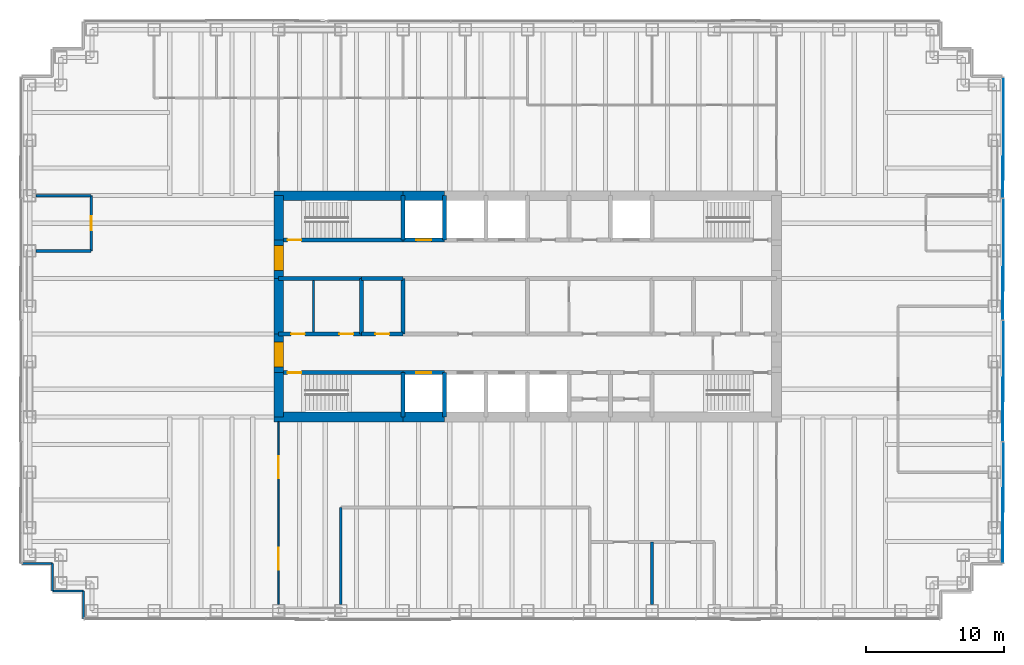
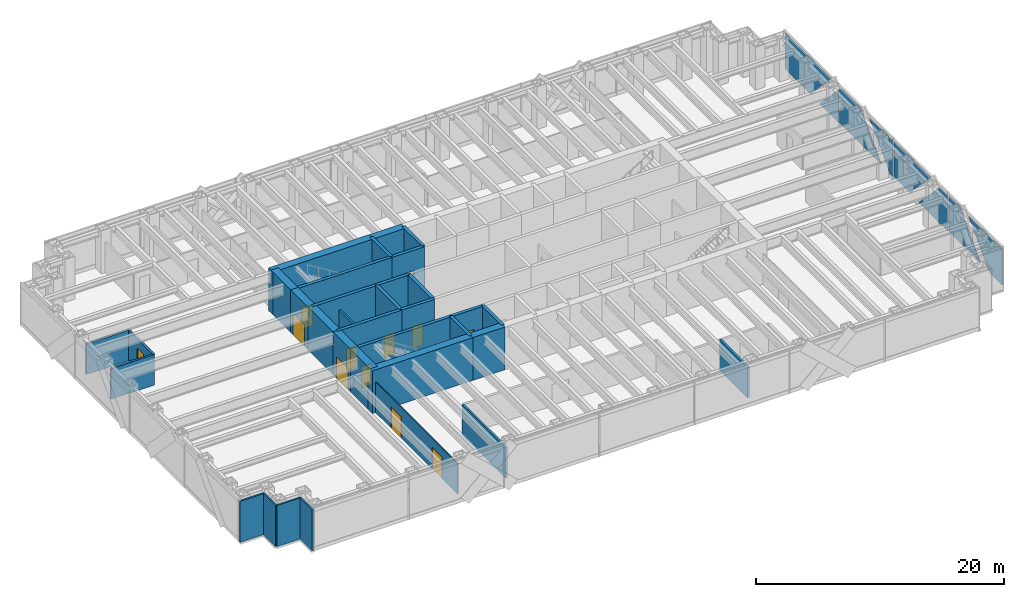
# One storey, part 13 of 17: 34 walls, 12 doors, 8 plates, 12 openings, 1 element without a shape of its own.
"""IFC4 building model written with IfcOpenShell, lengths in metres."""

from ifc_helpers import new_model, si_unit, direction, frame, frame_2d, origin, place, context, subcontext, project, spatial, polyline, rectangle, outline, extrude, material, layer, layer_set, type_object, element, fill, aggregate, save


model = new_model("IFC4")

# Units and contexts
model_context = context("Model", 3, precision=1e-05, world=origin(), true_north=direction((0.0, 1.0)))
body_context = subcontext(model_context, "Body", "Model", "MODEL_VIEW")
ifc_project = project(units=[si_unit("LENGTHUNIT", "METRE"), si_unit("AREAUNIT", "SQUARE_METRE"), si_unit("VOLUMEUNIT", "CUBIC_METRE"), si_unit("PLANEANGLEUNIT", "RADIAN"), si_unit("MASSUNIT", "GRAM", prefix="KILO")], contexts=[model_context])

# Site, building, storey
site_placement = place(None, origin())
site = spatial("IfcSite", under=ifc_project, at=site_placement, CompositionType="ELEMENT")
building_placement = place(site_placement, origin())
building = spatial("IfcBuilding", under=site, at=building_placement, Name="Rheinbord Bourse Tower", CompositionType="ELEMENT")
storey_placement = place(building_placement, frame((0.0, 0.0, 317.300048828125)))
storey = spatial("IfcBuildingStorey", under=building, at=storey_placement, Name="L72", CompositionType="ELEMENT", Elevation=317.300048828125)

# Curtain wall, plates
ifc_material_1 = material(Name="Dark glass and black aluminium", Category="aluminium")
curtain_wall_type = type_object("IfcCurtainWallType", Name="CW3 DARK GLASS CURTAIN WALL", PredefinedType="USERDEFINED", material=ifc_material_1)
curtain_wall_placement = place(storey_placement, origin())
curtain_wall = element("IfcCurtainWall", 1, at=curtain_wall_placement, inside=storey, type_object=curtain_wall_type, Name="Curtain wall CW3 E L72", ObjectType="UNITISED CURTAIN WALL", PredefinedType="USERDEFINED")
ifc_material_2 = material(Name="Dark tinted triple insulating glass", Category="glass")
ifc_layer_1 = layer(ifc_material_2, 0.055908203125)
ifc_layer_set_1 = layer_set([ifc_layer_1], Name="CW3 DARK GLASS PANEL")
plate_type = type_object("IfcPlateType", Name="CW3 DARK GLASS PANEL", PredefinedType="CURTAIN_PANEL", material=ifc_layer_set_1)
plate_1_placement = place(storey_placement, frame((70.3779296875, 5.465087890625, 0.349853515625), z_axis=(-1.0, 0.0, 0.0), x_axis=(0.0, 0.0, 1.0)))
plate_1 = element("IfcPlate", 2, at=plate_1_placement, type_object=plate_type, Name="CW3 glass facet 1", PredefinedType="CURTAIN_PANEL", context=body_context, shape_type="SweptSolid", body=[
    extrude(outline(polyline([(0.0, 0.0), (3.5, 0.0), (3.5, 5.43701171875), (0.0, 2.10302734375), (0.0, 0.0)])), origin(), (0.0, 0.0, 1.0), 0.055908203125),
])
plate_2_placement = place(storey_placement, frame((70.43896484375, 14.16796875, 3.849853515625), z_axis=(-1.0, 0.0, 0.0), x_axis=(0.0, 0.0, -1.0)))
plate_2 = element("IfcPlate", 3, at=plate_2_placement, type_object=plate_type, Name="CW3 glass facet 2", PredefinedType="CURTAIN_PANEL", context=body_context, shape_type="SweptSolid", body=[
    extrude(outline(polyline([(0.0, 0.0), (3.5, 0.0), (3.5, 5.070068359375), (0.0, 1.736083984375), (0.0, 0.0)])), origin(), (0.0, 0.0, 1.0), 0.055908203125),
])
plate_3_placement = place(storey_placement, frame((70.3779296875, 14.23193359375, 0.349853515625), z_axis=(-1.0, 0.0, 0.0), x_axis=(0.0, 0.0, 1.0)))
plate_3 = element("IfcPlate", 4, at=plate_3_placement, type_object=plate_type, Name="CW3 glass facet 1", PredefinedType="CURTAIN_PANEL", context=body_context, shape_type="SweptSolid", body=[
    extrude(outline(polyline([(0.0, 0.0), (3.5, 0.0), (3.5, 1.336181640625), (0.0, 4.670166015625), (0.0, 0.0)])), origin(), (0.0, 0.0, 1.0), 0.055908203125),
])
plate_4_placement = place(storey_placement, frame((70.43896484375, 22.968017578125, 3.849853515625), z_axis=(-1.0, 0.0, 0.0), x_axis=(0.0, 0.0, -1.0)))
plate_4 = element("IfcPlate", 5, at=plate_4_placement, type_object=plate_type, Name="CW3 glass facet 2", PredefinedType="CURTAIN_PANEL", context=body_context, shape_type="SweptSolid", body=[
    extrude(outline(polyline([(0.0, 0.0), (3.5, 0.0), (3.5, 2.5361328125), (0.0, 5.8701171875), (0.0, 0.0)])), origin(), (0.0, 0.0, 1.0), 0.055908203125),
])
plate_5_placement = place(storey_placement, frame((70.3779296875, 23.031982421875, 0.349853515625), z_axis=(-1.0, 0.0, 0.0), x_axis=(0.0, 0.0, 1.0)))
plate_5 = element("IfcPlate", 6, at=plate_5_placement, type_object=plate_type, Name="CW3 glass facet 1", PredefinedType="CURTAIN_PANEL", context=body_context, shape_type="SweptSolid", body=[
    extrude(outline(polyline([(0.0, 0.0), (3.5, 0.0), (3.5, 3.8701171875), (0.0, 0.5361328125), (0.0, 0.0)])), origin(), (0.0, 0.0, 1.0), 0.055908203125),
])
plate_6_placement = place(storey_placement, frame((70.43896484375, 31.76708984375, 0.349853515625), z_axis=(-1.0, 0.0, 0.0), x_axis=(0.0, -1.0, 0.0)))
plate_6 = element("IfcPlate", 7, at=plate_6_placement, type_object=plate_type, Name="CW3 glass facet 2", PredefinedType="CURTAIN_PANEL", context=body_context, shape_type="SweptSolid", body=[
    extrude(outline(polyline([(0.0, 0.0), (6.669189453125, 0.0), (3.335205078125, 3.5), (0.198974609375, 3.5), (0.0, 3.291015625), (0.0, 0.0)])), origin(), (0.0, 0.0, 1.0), 0.055908203125),
])
plate_7_placement = place(storey_placement, frame((70.3779296875, 31.8330078125, 0.349853515625), z_axis=(-1.0, 0.0, 0.0), x_axis=(0.0, 0.0, 1.0)))
plate_7 = element("IfcPlate", 8, at=plate_7_placement, type_object=plate_type, Name="CW3 glass facet 1", PredefinedType="CURTAIN_PANEL", context=body_context, shape_type="SweptSolid", body=[
    extrude(outline(polyline([(0.0, 0.0), (3.22314453125, 0.0), (0.0, 3.069091796875), (0.0, 0.0)])), origin(), (0.0, 0.0, 1.0), 0.055908203125),
])
plate_8_placement = place(storey_placement, frame((70.43896484375, 40.534912109375, 3.849853515625), z_axis=(-1.0, 0.0, 0.0), x_axis=(0.0, 0.0, -1.0)))
plate_8 = element("IfcPlate", 9, at=plate_8_placement, type_object=plate_type, Name="CW3 glass facet 2", PredefinedType="CURTAIN_PANEL", context=body_context, shape_type="SweptSolid", body=[
    extrude(outline(polyline([(0.0, 0.0), (3.5, 0.0), (3.5, 4.10302734375), (0.0, 7.43701171875), (0.0, 0.0)])), origin(), (0.0, 0.0, 1.0), 0.055908203125),
])
aggregate(curtain_wall, [plate_1, plate_2, plate_3, plate_4, plate_5, plate_6, plate_7, plate_8])

# Walls
ifc_material_3 = material(Name="Acoustic gypsum board partition", Category="gypsum board")
ifc_layer_2 = layer(ifc_material_3, 0.199951171875)
ifc_layer_set_2 = layer_set([ifc_layer_2], Name="ACOUSTIC PARTITION 200")
wall_type_1 = type_object("IfcWallType", Name="ACOUSTIC PARTITION 200", PredefinedType="PARTITIONING", material=ifc_layer_set_2)
for number, where, z_axis, x_axis, name in (
    (10, (0.449951171875, 28.0, 0.0), (0.0, 0.0, 1.0), (1.0, 0.0, 0.0), "Partition L72-05"),
    (11, (0.449951171875, 32.0, 0.0), (0.0, 0.0, 1.0), (1.0, 0.0, 0.0), "Partition L72-07"),
):
    element("IfcWall", number, at=place(storey_placement, frame(where, z_axis=z_axis, x_axis=x_axis)), inside=storey, type_object=wall_type_1, Name=name, PredefinedType="PARTITIONING", context=body_context, shape_type="SweptSolid", body=[
        extrude(rectangle(XDim=4.0, YDim=0.199951171875, at=frame_2d((2.0, 0.0))), origin(), (0.0, 0.0, 1.0), 3.0),
    ])

# Wall, opening, door
wall_1_placement = place(storey_placement, frame((4.449951171875, 28.0, 0.0), z_axis=(0.0, 0.0, 1.0), x_axis=(0.0, 1.0, 0.0)))
wall_1 = element("IfcWall", 12, at=wall_1_placement, inside=storey, type_object=wall_type_1, Name="Partition L72-11", PredefinedType="PARTITIONING", context=body_context, shape_type="SweptSolid", body=[
    extrude(rectangle(XDim=4.0, YDim=0.199951171875, at=frame_2d((2.0, 0.0))), origin(), (0.0, 0.0, 1.0), 3.0),
])
opening_1_placement = place(wall_1_placement, frame((1.5, 0.0, 0.0)))
opening_1 = element("IfcOpeningElement", 13, at=opening_1_placement, cuts=wall_1, Name="Opening 72D05", PredefinedType="OPENING", context=body_context, shape_type="SweptSolid", body=[
    extrude(rectangle(XDim=1.0, YDim=2.10009765625, at=frame_2d((0.5, 1.050048828125))), frame((0.0, 0.10986328125, 0.0), z_axis=(0.0, -1.0, 0.0), x_axis=(1.0, 0.0, 0.0)), (0.0, 0.0, 1.0), 0.219970703125),
])
ifc_material_4 = material(Name="Timber door", Category="wood")
door_type_1 = type_object("IfcDoorType", Name="ROOM DOOR 1000", OperationType="SINGLE_SWING_LEFT", PredefinedType="DOOR", material=ifc_material_4)
door_1_placement = place(opening_1_placement, origin())
door_1 = element("IfcDoor", 14, at=door_1_placement, inside=storey, type_object=door_type_1, Name="Edit suite door L72", OperationType="SINGLE_SWING_LEFT", OverallHeight=2.10009765625, OverallWidth=1.0, PredefinedType="DOOR", context=body_context, shape_type="SweptSolid", body=[
    extrude(rectangle(XDim=1.0, YDim=2.10009765625, at=frame_2d((0.5, 1.050048828125))), frame((0.0, 0.02490234375, 0.0), z_axis=(0.0, -1.0, 0.0), x_axis=(1.0, 0.0, 0.0)), (0.0, 0.0, 1.0), 0.050048828125),
])
fill(opening_1, door_1)

# Walls
wall_2_placement = place(storey_placement, frame((22.5, 2.449951171875, 0.0), z_axis=(0.0, 0.0, 1.0), x_axis=(0.0, 1.0, 0.0)))
element("IfcWall", 15, at=wall_2_placement, inside=storey, type_object=wall_type_1, Name="Partition L72-17", PredefinedType="PARTITIONING", context=body_context, shape_type="SweptSolid", body=[
    extrude(rectangle(XDim=7.0, YDim=0.199951171875, at=frame_2d((3.5, 0.0))), origin(), (0.0, 0.0, 1.0), 3.0),
])
wall_3_placement = place(storey_placement, frame((45.0, 2.449951171875, 0.0), z_axis=(0.0, 0.0, 1.0), x_axis=(0.0, 1.0, 0.0)))
element("IfcWall", 16, at=wall_3_placement, inside=storey, type_object=wall_type_1, Name="Partition L72-24", PredefinedType="PARTITIONING", context=body_context, shape_type="SweptSolid", body=[
    extrude(rectangle(XDim=4.5, YDim=0.199951171875, at=frame_2d((2.25, 0.0))), origin(), (0.0, 0.0, 1.0), 3.0),
])

# Wall, opening, door
ifc_material_5 = material(Name="Concrete C50/60", Category="concrete")
ifc_layer_3 = layer(ifc_material_5, 0.300048828125)
ifc_layer_set_3 = layer_set([ifc_layer_3], Name="CORE INNER WALL 300")
wall_type_2 = type_object("IfcWallType", Name="CORE INNER WALL 300", PredefinedType="SOLIDWALL", material=ifc_layer_set_3)
wall_4_placement = place(storey_placement, frame((18.0, 19.199951171875, 0.0), z_axis=(0.0, 0.0, 1.0), x_axis=(1.0, 0.0, 0.0)))
wall_4 = element("IfcWall", 17, at=wall_4_placement, inside=storey, type_object=wall_type_2, Name="Core wall A1 L72", PredefinedType="SOLIDWALL", context=body_context, shape_type="SweptSolid", body=[
    extrude(rectangle(XDim=9.0, YDim=0.300048828125, at=frame_2d((4.5, 0.0))), origin(), (0.0, 0.0, 1.0), 4.199951171875),
])
opening_2_placement = place(wall_4_placement, frame((0.64990234375, 0.0, 0.0)))
opening_2 = element("IfcOpeningElement", 18, at=opening_2_placement, cuts=wall_4, Name="Opening 7210", PredefinedType="OPENING", context=body_context, shape_type="SweptSolid", body=[
    extrude(rectangle(XDim=1.0, YDim=2.10009765625, at=frame_2d((0.5, 1.050048828125))), frame((0.0, 0.159912109375, 0.0), z_axis=(0.0, -1.0, 0.0), x_axis=(1.0, 0.0, 0.0)), (0.0, 0.0, 1.0), 0.320068359375),
])
ifc_material_6 = material(Name="Steel door", Category="steel")
door_type_2 = type_object("IfcDoorType", Name="DOOR 1000 EI30", OperationType="SINGLE_SWING_LEFT", PredefinedType="DOOR", material=ifc_material_6)
door_2_placement = place(opening_2_placement, origin())
door_2 = element("IfcDoor", 19, at=door_2_placement, inside=storey, type_object=door_type_2, Name="Stair door ST1 L72", OperationType="SINGLE_SWING_LEFT", OverallHeight=2.10009765625, OverallWidth=1.0, PredefinedType="DOOR", context=body_context, shape_type="SweptSolid", body=[
    extrude(rectangle(XDim=1.0, YDim=2.10009765625, at=frame_2d((0.5, 1.050048828125))), frame((0.0, 0.02490234375, 0.0), z_axis=(0.0, -1.0, 0.0), x_axis=(1.0, 0.0, 0.0)), (0.0, 0.0, 1.0), 0.050048828125),
])
fill(opening_2, door_2)

wall_5_placement = place(storey_placement, frame((27.0, 19.199951171875, 0.0), z_axis=(0.0, 0.0, 1.0), x_axis=(1.0, 0.0, 0.0)))
wall_5 = element("IfcWall", 20, at=wall_5_placement, inside=storey, type_object=wall_type_2, Name="Core wall A2 L72", PredefinedType="SOLIDWALL", context=body_context, shape_type="SweptSolid", body=[
    extrude(rectangle(XDim=3.0, YDim=0.300048828125, at=frame_2d((1.5, 0.0))), origin(), (0.0, 0.0, 1.0), 4.199951171875),
])
opening_3_placement = place(wall_5_placement, frame((0.949951171875, 0.0, 0.0)))
opening_3 = element("IfcOpeningElement", 21, at=opening_3_placement, cuts=wall_5, Name="Opening FL1", PredefinedType="OPENING", context=body_context, shape_type="SweptSolid", body=[
    extrude(rectangle(XDim=1.10009765625, YDim=2.199951171875, at=frame_2d((0.550048828125, 1.10009765625))), frame((0.0, 0.159912109375, 0.0), z_axis=(0.0, -1.0, 0.0), x_axis=(1.0, 0.0, 0.0)), (0.0, 0.0, 1.0), 0.320068359375),
])
ifc_material_7 = material(Name="Steel landing door", Category="steel")
door_type_3 = type_object("IfcDoorType", Name="LIFT LANDING DOOR 1100", OperationType="DOUBLE_DOOR_SLIDING", PredefinedType="USERDEFINED", material=ifc_material_7)
door_3_placement = place(opening_3_placement, origin())
door_3 = element("IfcDoor", 22, at=door_3_placement, inside=storey, type_object=door_type_3, Name="Lift landing door FL1 L72", ObjectType="LIFT LANDING DOOR", OperationType="DOUBLE_DOOR_SLIDING", OverallHeight=2.199951171875, OverallWidth=1.10009765625, PredefinedType="USERDEFINED", context=body_context, shape_type="SweptSolid", body=[
    extrude(rectangle(XDim=1.10009765625, YDim=2.199951171875, at=frame_2d((0.550048828125, 1.10009765625))), frame((0.0, 0.02490234375, 0.0), z_axis=(0.0, -1.0, 0.0), x_axis=(1.0, 0.0, 0.0)), (0.0, 0.0, 1.0), 0.050048828125),
])
fill(opening_3, door_3)

wall_6_placement = place(storey_placement, frame((18.0, 28.800048828125, 0.0), z_axis=(0.0, 0.0, 1.0), x_axis=(1.0, 0.0, 0.0)))
wall_6 = element("IfcWall", 23, at=wall_6_placement, inside=storey, type_object=wall_type_2, Name="Core wall B1 L72", PredefinedType="SOLIDWALL", context=body_context, shape_type="SweptSolid", body=[
    extrude(rectangle(XDim=9.0, YDim=0.300048828125, at=frame_2d((4.5, 0.0))), origin(), (0.0, 0.0, 1.0), 4.199951171875),
])
opening_4_placement = place(wall_6_placement, frame((0.64990234375, 0.0, 0.0)))
opening_4 = element("IfcOpeningElement", 24, at=opening_4_placement, cuts=wall_6, Name="Opening 7220", PredefinedType="OPENING", context=body_context, shape_type="SweptSolid", body=[
    extrude(rectangle(XDim=1.0, YDim=2.10009765625, at=frame_2d((0.5, 1.050048828125))), frame((0.0, 0.159912109375, 0.0), z_axis=(0.0, -1.0, 0.0), x_axis=(1.0, 0.0, 0.0)), (0.0, 0.0, 1.0), 0.320068359375),
])
door_4_placement = place(opening_4_placement, origin())
door_4 = element("IfcDoor", 25, at=door_4_placement, inside=storey, type_object=door_type_2, Name="Stair door ST2 L72", OperationType="SINGLE_SWING_LEFT", OverallHeight=2.10009765625, OverallWidth=1.0, PredefinedType="DOOR", context=body_context, shape_type="SweptSolid", body=[
    extrude(rectangle(XDim=1.0, YDim=2.10009765625, at=frame_2d((0.5, 1.050048828125))), frame((0.0, 0.02490234375, 0.0), z_axis=(0.0, -1.0, 0.0), x_axis=(1.0, 0.0, 0.0)), (0.0, 0.0, 1.0), 0.050048828125),
])
fill(opening_4, door_4)

wall_7_placement = place(storey_placement, frame((27.0, 28.800048828125, 0.0), z_axis=(0.0, 0.0, 1.0), x_axis=(1.0, 0.0, 0.0)))
wall_7 = element("IfcWall", 26, at=wall_7_placement, inside=storey, type_object=wall_type_2, Name="Core wall B2 L72", PredefinedType="SOLIDWALL", context=body_context, shape_type="SweptSolid", body=[
    extrude(rectangle(XDim=3.0, YDim=0.300048828125, at=frame_2d((1.5, 0.0))), origin(), (0.0, 0.0, 1.0), 4.199951171875),
])
opening_5_placement = place(wall_7_placement, frame((0.949951171875, 0.0, 0.0)))
opening_5 = element("IfcOpeningElement", 27, at=opening_5_placement, cuts=wall_7, Name="Opening GL1", PredefinedType="OPENING", context=body_context, shape_type="SweptSolid", body=[
    extrude(rectangle(XDim=1.10009765625, YDim=2.199951171875, at=frame_2d((0.550048828125, 1.10009765625))), frame((0.0, 0.159912109375, 0.0), z_axis=(0.0, -1.0, 0.0), x_axis=(1.0, 0.0, 0.0)), (0.0, 0.0, 1.0), 0.320068359375),
])
door_5_placement = place(opening_5_placement, origin())
door_5 = element("IfcDoor", 28, at=door_5_placement, inside=storey, type_object=door_type_3, Name="Lift landing door GL1 L72", ObjectType="LIFT LANDING DOOR", OperationType="DOUBLE_DOOR_SLIDING", OverallHeight=2.199951171875, OverallWidth=1.10009765625, PredefinedType="USERDEFINED", context=body_context, shape_type="SweptSolid", body=[
    extrude(rectangle(XDim=1.10009765625, YDim=2.199951171875, at=frame_2d((0.550048828125, 1.10009765625))), frame((0.0, 0.02490234375, 0.0), z_axis=(0.0, -1.0, 0.0), x_axis=(1.0, 0.0, 0.0)), (0.0, 0.0, 1.0), 0.050048828125),
])
fill(opening_5, door_5)

# Wall, openings, doors
wall_8_placement = place(storey_placement, frame((18.0, 22.0, 0.0), z_axis=(0.0, 0.0, 1.0), x_axis=(1.0, 0.0, 0.0)))
wall_8 = element("IfcWall", 29, at=wall_8_placement, inside=storey, type_object=wall_type_2, Name="Core wall C1 L72", PredefinedType="SOLIDWALL", context=body_context, shape_type="SweptSolid", body=[
    extrude(rectangle(XDim=6.0, YDim=0.300048828125, at=frame_2d((3.0, 0.0))), origin(), (0.0, 0.0, 1.0), 4.199951171875),
])
opening_6_placement = place(wall_8_placement, frame((4.39990234375, 0.0, 0.0)))
opening_6 = element("IfcOpeningElement", 30, at=opening_6_placement, cuts=wall_8, Name="Opening 72R1", PredefinedType="OPENING", context=body_context, shape_type="SweptSolid", body=[
    extrude(rectangle(XDim=1.0, YDim=2.10009765625, at=frame_2d((0.5, 1.050048828125))), frame((0.0, 0.159912109375, 0.0), z_axis=(0.0, -1.0, 0.0), x_axis=(1.0, 0.0, 0.0)), (0.0, 0.0, 1.0), 0.320068359375),
])
opening_7_placement = place(wall_8_placement, frame((0.89990234375, 0.0, 0.0)))
opening_7 = element("IfcOpeningElement", 31, at=opening_7_placement, cuts=wall_8, Name="Opening 72R9", PredefinedType="OPENING", context=body_context, shape_type="SweptSolid", body=[
    extrude(rectangle(XDim=1.0, YDim=2.10009765625, at=frame_2d((0.5, 1.050048828125))), frame((0.0, 0.159912109375, 0.0), z_axis=(0.0, -1.0, 0.0), x_axis=(1.0, 0.0, 0.0)), (0.0, 0.0, 1.0), 0.320068359375),
])
door_6_placement = place(opening_7_placement, origin())
door_6 = element("IfcDoor", 32, at=door_6_placement, inside=storey, type_object=door_type_2, Name="Baby change door L72", OperationType="SINGLE_SWING_LEFT", OverallHeight=2.10009765625, OverallWidth=1.0, PredefinedType="DOOR", context=body_context, shape_type="SweptSolid", body=[
    extrude(rectangle(XDim=1.0, YDim=2.10009765625, at=frame_2d((0.5, 1.050048828125))), frame((0.0, 0.02490234375, 0.0), z_axis=(0.0, -1.0, 0.0), x_axis=(1.0, 0.0, 0.0)), (0.0, 0.0, 1.0), 0.050048828125),
])
fill(opening_7, door_6)
ifc_material_8 = material(Name="Timber door", Category="wood")
door_type_4 = type_object("IfcDoorType", Name="DOOR 1000 WC", OperationType="SINGLE_SWING_LEFT", PredefinedType="DOOR", material=ifc_material_8)
door_7_placement = place(opening_6_placement, origin())
door_7 = element("IfcDoor", 33, at=door_7_placement, inside=storey, type_object=door_type_4, Name="WC men door L72", OperationType="SINGLE_SWING_RIGHT", OverallHeight=2.10009765625, OverallWidth=1.0, PredefinedType="DOOR", context=body_context, shape_type="SweptSolid", body=[
    extrude(rectangle(XDim=1.0, YDim=2.10009765625, at=frame_2d((0.5, 1.050048828125))), frame((0.0, 0.02490234375, 0.0), z_axis=(0.0, -1.0, 0.0), x_axis=(1.0, 0.0, 0.0)), (0.0, 0.0, 1.0), 0.050048828125),
])
fill(opening_6, door_7)

# Wall, opening, door
wall_9_placement = place(storey_placement, frame((24.0, 22.0, 0.0), z_axis=(0.0, 0.0, 1.0), x_axis=(1.0, 0.0, 0.0)))
wall_9 = element("IfcWall", 34, at=wall_9_placement, inside=storey, type_object=wall_type_2, Name="Core wall C2 L72", PredefinedType="SOLIDWALL", context=body_context, shape_type="SweptSolid", body=[
    extrude(rectangle(XDim=3.0, YDim=0.300048828125, at=frame_2d((1.5, 0.0))), origin(), (0.0, 0.0, 1.0), 4.199951171875),
])
opening_8_placement = place(wall_9_placement, frame((1.0, 0.0, 0.0)))
opening_8 = element("IfcOpeningElement", 35, at=opening_8_placement, cuts=wall_9, Name="Opening 72R2", PredefinedType="OPENING", context=body_context, shape_type="SweptSolid", body=[
    extrude(rectangle(XDim=1.0, YDim=2.10009765625, at=frame_2d((0.5, 1.050048828125))), frame((0.0, 0.159912109375, 0.0), z_axis=(0.0, -1.0, 0.0), x_axis=(1.0, 0.0, 0.0)), (0.0, 0.0, 1.0), 0.320068359375),
])
door_8_placement = place(opening_8_placement, origin())
door_8 = element("IfcDoor", 36, at=door_8_placement, inside=storey, type_object=door_type_4, Name="Accessible WC door L72", OperationType="SINGLE_SWING_LEFT", OverallHeight=2.10009765625, OverallWidth=1.0, PredefinedType="DOOR", context=body_context, shape_type="SweptSolid", body=[
    extrude(rectangle(XDim=1.0, YDim=2.10009765625, at=frame_2d((0.5, 1.050048828125))), frame((0.0, 0.02490234375, 0.0), z_axis=(0.0, -1.0, 0.0), x_axis=(1.0, 0.0, 0.0)), (0.0, 0.0, 1.0), 0.050048828125),
])
fill(opening_8, door_8)

# Walls
wall_10_placement = place(storey_placement, frame((18.0, 26.0, 0.0), z_axis=(0.0, 0.0, 1.0), x_axis=(1.0, 0.0, 0.0)))
element("IfcWall", 37, at=wall_10_placement, inside=storey, type_object=wall_type_2, Name="Core wall D1 L72", PredefinedType="SOLIDWALL", context=body_context, shape_type="SweptSolid", body=[
    extrude(rectangle(XDim=6.0, YDim=0.300048828125, at=frame_2d((3.0, 0.0))), origin(), (0.0, 0.0, 1.0), 4.199951171875),
])
wall_11_placement = place(storey_placement, frame((24.0, 26.0, 0.0), z_axis=(0.0, 0.0, 1.0), x_axis=(1.0, 0.0, 0.0)))
element("IfcWall", 38, at=wall_11_placement, inside=storey, type_object=wall_type_2, Name="Core wall D2 L72", PredefinedType="SOLIDWALL", context=body_context, shape_type="SweptSolid", body=[
    extrude(rectangle(XDim=3.0, YDim=0.300048828125, at=frame_2d((1.5, 0.0))), origin(), (0.0, 0.0, 1.0), 4.199951171875),
])
for number, where, z_axis, x_axis, name in (
    (39, (27.0, 16.0, 0.0), (0.0, 0.0, 1.0), (0.0, 1.0, 0.0), "Core wall SX27 L72"),
    (40, (27.0, 28.800048828125, 0.0), (0.0, 0.0, 1.0), (0.0, 1.0, 0.0), "Core wall NX27 L72"),
    (41, (30.0, 16.0, 0.0), (0.0, 0.0, 1.0), (0.0, 1.0, 0.0), "Core wall SX30 L72"),
    (42, (30.0, 28.800048828125, 0.0), (0.0, 0.0, 1.0), (0.0, 1.0, 0.0), "Core wall NX30 L72"),
):
    element("IfcWall", number, at=place(storey_placement, frame(where, z_axis=z_axis, x_axis=x_axis)), inside=storey, type_object=wall_type_2, Name=name, PredefinedType="SOLIDWALL", context=body_context, shape_type="SweptSolid", body=[
        extrude(rectangle(XDim=3.199951171875, YDim=0.300048828125, at=frame_2d((1.60009765625, 0.0))), origin(), (0.0, 0.0, 1.0), 4.199951171875),
    ])
for number, where, z_axis, x_axis, name in (
    (43, (24.0, 22.0, 0.0), (0.0, 0.0, 1.0), (0.0, 1.0, 0.0), "Core wall MX24 L72"),
    (44, (27.0, 22.0, 0.0), (0.0, 0.0, 1.0), (0.0, 1.0, 0.0), "Core wall MX27 L72"),
):
    element("IfcWall", number, at=place(storey_placement, frame(where, z_axis=z_axis, x_axis=x_axis)), inside=storey, type_object=wall_type_2, Name=name, PredefinedType="SOLIDWALL", context=body_context, shape_type="SweptSolid", body=[
        extrude(rectangle(XDim=4.0, YDim=0.300048828125, at=frame_2d((2.0, 0.0))), origin(), (0.0, 0.0, 1.0), 4.199951171875),
    ])
ifc_material_9 = material(Name="Gypsum board fire partition", Category="gypsum board")
ifc_layer_4 = layer(ifc_material_9, 0.14990234375)
ifc_layer_set_4 = layer_set([ifc_layer_4], Name="CORE PARTITION 150 EI30")
wall_type_3 = type_object("IfcWallType", Name="CORE PARTITION 150 EI30", PredefinedType="PARTITIONING", material=ifc_layer_set_4)
wall_12_placement = place(storey_placement, frame((20.52490234375, 22.14990234375, 0.0), z_axis=(0.0, 0.0, 1.0), x_axis=(0.0, 1.0, 0.0)))
element("IfcWall", 45, at=wall_12_placement, inside=storey, type_object=wall_type_3, Name="Core partition L72-2", PredefinedType="PARTITIONING", context=body_context, shape_type="SweptSolid", body=[
    extrude(rectangle(XDim=3.7001953125, YDim=0.14990234375, at=frame_2d((1.85009765625, 0.0))), origin(), (0.0, 0.0, 1.0), 3.0),
])
ifc_material_10 = material(Name="Concrete C50/60", Category="concrete")
ifc_layer_5 = layer(ifc_material_10, 0.699951171875)
ifc_layer_set_5 = layer_set([ifc_layer_5], Name="CORE WALL 700")
wall_type_4 = type_object("IfcWallType", Name="CORE WALL 700", PredefinedType="SHEAR", material=ifc_layer_set_5)
wall_13_placement = place(storey_placement, frame((17.64990234375, 16.0, 0.0), z_axis=(0.0, 0.0, 1.0), x_axis=(1.0, 0.0, 0.0)))
element("IfcWall", 46, at=wall_13_placement, inside=storey, type_object=wall_type_4, Name="Core wall S1 L72", PredefinedType="SHEAR", context=body_context, shape_type="SweptSolid", body=[
    extrude(rectangle(XDim=9.35009765625, YDim=0.699951171875, at=frame_2d((4.675048828125, 0.0))), origin(), (0.0, 0.0, 1.0), 4.199951171875),
])
for number, where, z_axis, x_axis, name in (
    (47, (27.0, 16.0, 0.0), (0.0, 0.0, 1.0), (1.0, 0.0, 0.0), "Core wall S2 L72"),
    (48, (30.0, 32.0, 0.0), (0.0, 0.0, 1.0), (-1.0, 0.0, 0.0), "Core wall N7 L72"),
):
    element("IfcWall", number, at=place(storey_placement, frame(where, z_axis=z_axis, x_axis=x_axis)), inside=storey, type_object=wall_type_4, Name=name, PredefinedType="SHEAR", context=body_context, shape_type="SweptSolid", body=[
        extrude(rectangle(XDim=3.0, YDim=0.699951171875, at=frame_2d((1.5, 0.0))), origin(), (0.0, 0.0, 1.0), 4.199951171875),
    ])
wall_14_placement = place(storey_placement, frame((27.0, 32.0, 0.0), z_axis=(0.0, 0.0, 1.0), x_axis=(-1.0, 0.0, 0.0)))
element("IfcWall", 49, at=wall_14_placement, inside=storey, type_object=wall_type_4, Name="Core wall N8 L72", PredefinedType="SHEAR", context=body_context, shape_type="SweptSolid", body=[
    extrude(rectangle(XDim=9.35009765625, YDim=0.699951171875, at=frame_2d((4.675048828125, 0.0))), origin(), (0.0, 0.0, 1.0), 4.199951171875),
])
wall_15_placement = place(storey_placement, frame((18.0, 32.0, 0.0), z_axis=(0.0, 0.0, 1.0), x_axis=(0.0, -1.0, 0.0)))
element("IfcWall", 50, at=wall_15_placement, inside=storey, type_object=wall_type_4, Name="Core wall W1 L72", PredefinedType="SHEAR", context=body_context, shape_type="SweptSolid", body=[
    extrude(rectangle(XDim=3.199951171875, YDim=0.699951171875, at=frame_2d((1.60009765625, 0.0))), origin(), (0.0, 0.0, 1.0), 4.199951171875),
])

# Wall, opening, door
wall_16_placement = place(storey_placement, frame((18.0, 28.800048828125, 0.0), z_axis=(0.0, 0.0, 1.0), x_axis=(0.0, -1.0, 0.0)))
wall_16 = element("IfcWall", 51, at=wall_16_placement, inside=storey, type_object=wall_type_4, Name="Core wall W2 L72", PredefinedType="SHEAR", context=body_context, shape_type="SweptSolid", body=[
    extrude(rectangle(XDim=2.800048828125, YDim=0.699951171875, at=frame_2d((1.39990234375, 0.0))), origin(), (0.0, 0.0, 1.0), 4.199951171875),
])
opening_9_placement = place(wall_16_placement, frame((0.39990234375, 0.0, 0.0)))
opening_9 = element("IfcOpeningElement", 52, at=opening_9_placement, cuts=wall_16, Name="Opening 72L2", PredefinedType="OPENING", context=body_context, shape_type="SweptSolid", body=[
    extrude(rectangle(XDim=1.800048828125, YDim=2.10009765625, at=frame_2d((0.89990234375, 1.050048828125))), frame((0.0, 0.35986328125, 0.0), z_axis=(0.0, -1.0, 0.0), x_axis=(1.0, 0.0, 0.0)), (0.0, 0.0, 1.0), 0.719970703125),
])
ifc_material_11 = material(Name="Steel door", Category="steel")
door_type_5 = type_object("IfcDoorType", Name="DOOR 1800 EI30 DOUBLE", OperationType="DOUBLE_DOOR_DOUBLE_SWING", PredefinedType="DOOR", material=ifc_material_11)
door_9_placement = place(opening_9_placement, origin())
door_9 = element("IfcDoor", 53, at=door_9_placement, inside=storey, type_object=door_type_5, Name="Lobby door 2 L72", OperationType="SINGLE_SWING_LEFT", OverallHeight=2.10009765625, OverallWidth=1.800048828125, PredefinedType="DOOR", context=body_context, shape_type="SweptSolid", body=[
    extrude(rectangle(XDim=1.800048828125, YDim=2.10009765625, at=frame_2d((0.89990234375, 1.050048828125))), frame((0.0, 0.349609375, 0.0), z_axis=(0.0, -1.0, 0.0), x_axis=(1.0, 0.0, 0.0)), (0.0, 0.0, 1.0), 0.699462890625),
])
fill(opening_9, door_9)

# Wall
wall_17_placement = place(storey_placement, frame((18.0, 26.0, 0.0), z_axis=(0.0, 0.0, 1.0), x_axis=(0.0, -1.0, 0.0)))
element("IfcWall", 54, at=wall_17_placement, inside=storey, type_object=wall_type_4, Name="Core wall W3 L72", PredefinedType="SHEAR", context=body_context, shape_type="SweptSolid", body=[
    extrude(rectangle(XDim=4.0, YDim=0.699951171875, at=frame_2d((2.0, 0.0))), origin(), (0.0, 0.0, 1.0), 4.199951171875),
])

# Wall, opening, door
wall_18_placement = place(storey_placement, frame((18.0, 22.0, 0.0), z_axis=(0.0, 0.0, 1.0), x_axis=(0.0, -1.0, 0.0)))
wall_18 = element("IfcWall", 55, at=wall_18_placement, inside=storey, type_object=wall_type_4, Name="Core wall W4 L72", PredefinedType="SHEAR", context=body_context, shape_type="SweptSolid", body=[
    extrude(rectangle(XDim=2.800048828125, YDim=0.699951171875, at=frame_2d((1.39990234375, 0.0))), origin(), (0.0, 0.0, 1.0), 4.199951171875),
])
opening_10_placement = place(wall_18_placement, frame((0.60009765625, 0.0, 0.0)))
opening_10 = element("IfcOpeningElement", 56, at=opening_10_placement, cuts=wall_18, Name="Opening 72L1", PredefinedType="OPENING", context=body_context, shape_type="SweptSolid", body=[
    extrude(rectangle(XDim=1.800048828125, YDim=2.10009765625, at=frame_2d((0.89990234375, 1.050048828125))), frame((0.0, 0.35986328125, 0.0), z_axis=(0.0, -1.0, 0.0), x_axis=(1.0, 0.0, 0.0)), (0.0, 0.0, 1.0), 0.719970703125),
])
door_10_placement = place(opening_10_placement, origin())
door_10 = element("IfcDoor", 57, at=door_10_placement, inside=storey, type_object=door_type_5, Name="Lobby door 1 L72", OperationType="SINGLE_SWING_LEFT", OverallHeight=2.10009765625, OverallWidth=1.800048828125, PredefinedType="DOOR", context=body_context, shape_type="SweptSolid", body=[
    extrude(rectangle(XDim=1.800048828125, YDim=2.10009765625, at=frame_2d((0.89990234375, 1.050048828125))), frame((0.0, 0.349609375, 0.0), z_axis=(0.0, -1.0, 0.0), x_axis=(1.0, 0.0, 0.0)), (0.0, 0.0, 1.0), 0.699462890625),
])
fill(opening_10, door_10)

# Walls
wall_19_placement = place(storey_placement, frame((18.0, 19.199951171875, 0.0), z_axis=(0.0, 0.0, 1.0), x_axis=(0.0, -1.0, 0.0)))
element("IfcWall", 58, at=wall_19_placement, inside=storey, type_object=wall_type_4, Name="Core wall W5 L72", PredefinedType="SHEAR", context=body_context, shape_type="SweptSolid", body=[
    extrude(rectangle(XDim=3.199951171875, YDim=0.699951171875, at=frame_2d((1.60009765625, 0.0))), origin(), (0.0, 0.0, 1.0), 4.199951171875),
])
ifc_material_12 = material(Name="Black metal rainscreen panel", Category="aluminium")
ifc_layer_6 = layer(ifc_material_12, 0.14990234375)
ifc_layer_set_6 = layer_set([ifc_layer_6], Name="CORNER PIER CLADDING 150")
wall_type_5 = type_object("IfcWallType", Name="CORNER PIER CLADDING 150", PredefinedType="ELEMENTEDWALL", material=ifc_layer_set_6)
wall_20_placement = place(storey_placement, frame((-0.60009765625, 5.39990234375, 0.0), z_axis=(0.0, 0.0, 1.0), x_axis=(1.0, 0.0, 0.0)))
element("IfcWall", 59, at=wall_20_placement, inside=storey, type_object=wall_type_5, Name="Corner pier cladding L72 17", PredefinedType="ELEMENTEDWALL", context=body_context, shape_type="SweptSolid", body=[
    extrude(rectangle(XDim=2.25, YDim=0.14990234375, at=frame_2d((1.125, 0.0))), origin(), (0.0, 0.0, 1.0), 4.0400390625),
])
wall_21_placement = place(storey_placement, frame((1.64990234375, 5.39990234375, 0.0), z_axis=(0.0, 0.0, 1.0), x_axis=(0.0, -1.0, 0.0)))
element("IfcWall", 60, at=wall_21_placement, inside=storey, type_object=wall_type_5, Name="Corner pier cladding L72 18", PredefinedType="ELEMENTEDWALL", context=body_context, shape_type="SweptSolid", body=[
    extrude(rectangle(XDim=2.0, YDim=0.14990234375, at=frame_2d((1.0, 0.0))), origin(), (0.0, 0.0, 1.0), 4.0400390625),
])
wall_22_placement = place(storey_placement, frame((1.64990234375, 3.39990234375, 0.0), z_axis=(0.0, 0.0, 1.0), x_axis=(1.0, 0.0, 0.0)))
element("IfcWall", 61, at=wall_22_placement, inside=storey, type_object=wall_type_5, Name="Corner pier cladding L72 19", PredefinedType="ELEMENTEDWALL", context=body_context, shape_type="SweptSolid", body=[
    extrude(rectangle(XDim=2.25, YDim=0.14990234375, at=frame_2d((1.125, 0.0))), origin(), (0.0, 0.0, 1.0), 4.0400390625),
])
wall_23_placement = place(storey_placement, frame((3.89990234375, 3.39990234375, 0.0), z_axis=(0.0, 0.0, 1.0), x_axis=(0.0, -1.0, 0.0)))
element("IfcWall", 62, at=wall_23_placement, inside=storey, type_object=wall_type_5, Name="Corner pier cladding L72 20", PredefinedType="ELEMENTEDWALL", context=body_context, shape_type="SweptSolid", body=[
    extrude(rectangle(XDim=2.0, YDim=0.14990234375, at=frame_2d((1.0, 0.0))), origin(), (0.0, 0.0, 1.0), 4.0400390625),
])

# Wall, openings, doors
ifc_material_13 = material(Name="Toughened laminated glass partition", Category="glass")
ifc_layer_7 = layer(ifc_material_13, 0.10009765625)
ifc_layer_set_7 = layer_set([ifc_layer_7], Name="GLAZED PARTITION 100")
wall_type_6 = type_object("IfcWallType", Name="GLAZED PARTITION 100", PredefinedType="PARTITIONING", material=ifc_layer_set_7)
wall_24_placement = place(storey_placement, frame((18.0, 2.449951171875, 0.0), z_axis=(0.0, 0.0, 1.0), x_axis=(0.0, 1.0, 0.0)))
wall_24 = element("IfcWall", 63, at=wall_24_placement, inside=storey, type_object=wall_type_6, Name="Partition L72-14", PredefinedType="PARTITIONING", context=body_context, shape_type="SweptSolid", body=[
    extrude(rectangle(XDim=13.199951171875, YDim=0.10009765625, at=frame_2d((6.60009765625, 0.0))), origin(), (0.0, 0.0, 1.0), 3.0),
])
opening_11_placement = place(wall_24_placement, frame((2.5, 0.0, 0.0)))
opening_11 = element("IfcOpeningElement", 64, at=opening_11_placement, cuts=wall_24, Name="Opening 72D15", PredefinedType="OPENING", context=body_context, shape_type="SweptSolid", body=[
    extrude(rectangle(XDim=1.60009765625, YDim=2.10009765625, at=frame_2d((0.800048828125, 1.050048828125))), frame((0.0, 0.06005859375, 0.0), z_axis=(0.0, -1.0, 0.0), x_axis=(1.0, 0.0, 0.0)), (0.0, 0.0, 1.0), 0.1201171875),
])
opening_12_placement = place(wall_24_placement, frame((9.10009765625, 0.0, 0.0)))
opening_12 = element("IfcOpeningElement", 65, at=opening_12_placement, cuts=wall_24, Name="Opening 72D16", PredefinedType="OPENING", context=body_context, shape_type="SweptSolid", body=[
    extrude(rectangle(XDim=1.60009765625, YDim=2.10009765625, at=frame_2d((0.800048828125, 1.050048828125))), frame((0.0, 0.06005859375, 0.0), z_axis=(0.0, -1.0, 0.0), x_axis=(1.0, 0.0, 0.0)), (0.0, 0.0, 1.0), 0.1201171875),
])
ifc_material_14 = material(Name="Timber door", Category="wood")
door_type_6 = type_object("IfcDoorType", Name="DOUBLE ROOM DOOR 1600", OperationType="DOUBLE_DOOR_DOUBLE_SWING", PredefinedType="DOOR", material=ifc_material_14)
door_11_placement = place(opening_11_placement, origin())
door_11 = element("IfcDoor", 66, at=door_11_placement, inside=storey, type_object=door_type_6, Name="Open area door L72", OperationType="SINGLE_SWING_LEFT", OverallHeight=2.10009765625, OverallWidth=1.60009765625, PredefinedType="DOOR", context=body_context, shape_type="SweptSolid", body=[
    extrude(rectangle(XDim=1.60009765625, YDim=2.10009765625, at=frame_2d((0.800048828125, 1.050048828125))), frame((0.0, 0.02490234375, 0.0), z_axis=(0.0, -1.0, 0.0), x_axis=(1.0, 0.0, 0.0)), (0.0, 0.0, 1.0), 0.050048828125),
])
fill(opening_11, door_11)
door_12_placement = place(opening_12_placement, origin())
door_12 = element("IfcDoor", 67, at=door_12_placement, inside=storey, type_object=door_type_6, Name="Open area door L72", OperationType="SINGLE_SWING_LEFT", OverallHeight=2.10009765625, OverallWidth=1.60009765625, PredefinedType="DOOR", context=body_context, shape_type="SweptSolid", body=[
    extrude(rectangle(XDim=1.60009765625, YDim=2.10009765625, at=frame_2d((0.800048828125, 1.050048828125))), frame((0.0, 0.02490234375, 0.0), z_axis=(0.0, -1.0, 0.0), x_axis=(1.0, 0.0, 0.0)), (0.0, 0.0, 1.0), 0.050048828125),
])
fill(opening_12, door_12)

save(model, "model.ifc")
